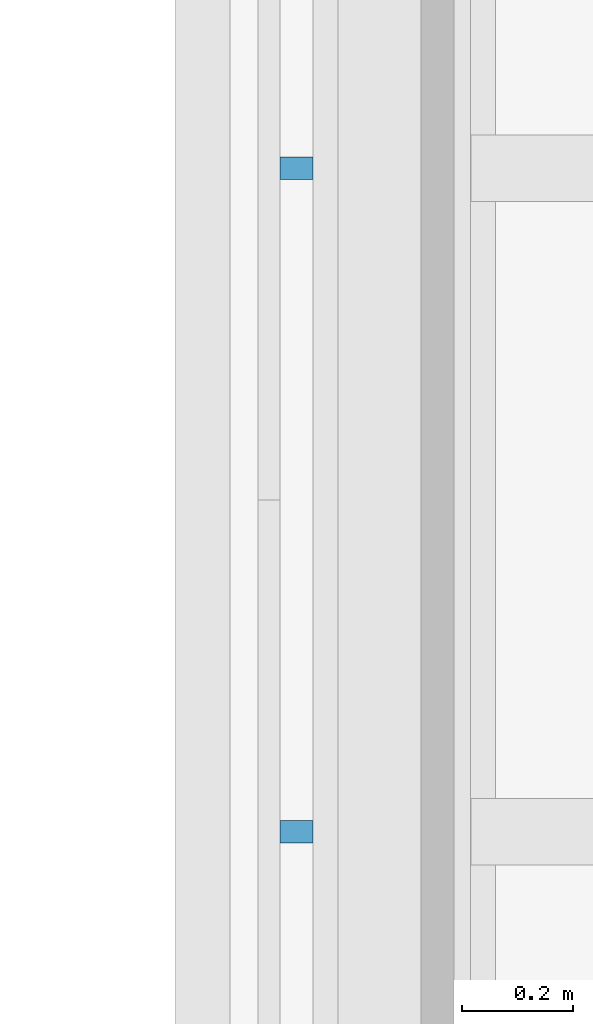
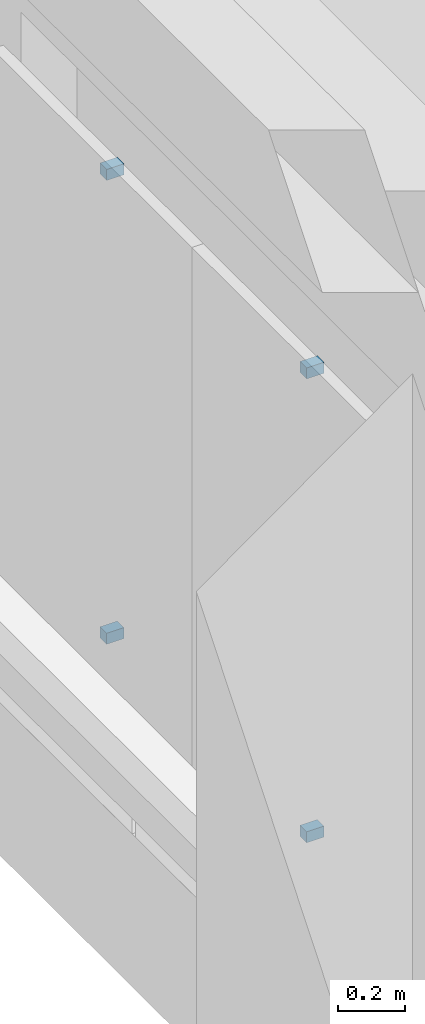
# One storey, part 53 of 71: 4 discrete accessories.
"""IFC4 building model written with IfcOpenShell, lengths in metres."""

from ifc_helpers import new_model, si_unit, direction, frame, origin, origin_2d, place, context, subcontext, project, spatial, rectangle, extrude, material, type_object, element, save


model = new_model("IFC4")

# Units and contexts
model_context = context("Model", 3, precision=1e-05, world=origin(), true_north=direction((0.0, 1.0)))
body_context = subcontext(model_context, "Body", "Model", "MODEL_VIEW")
ifc_project = project(units=[si_unit("LENGTHUNIT", "METRE"), si_unit("AREAUNIT", "SQUARE_METRE"), si_unit("VOLUMEUNIT", "CUBIC_METRE"), si_unit("PLANEANGLEUNIT", "RADIAN"), si_unit("MASSUNIT", "GRAM", prefix="KILO")], contexts=[model_context])

# Site, building, storey
site_placement = place(None, origin())
site = spatial("IfcSite", under=ifc_project, at=site_placement, CompositionType="ELEMENT")
building_placement = place(site_placement, origin())
building = spatial("IfcBuilding", under=site, at=building_placement, Name="Mazhai Court Health Centre", CompositionType="ELEMENT")
storey_placement = place(building_placement, frame((0.0, 0.0, 10.199951171875)))
storey = spatial("IfcBuildingStorey", under=building, at=storey_placement, Name="L02", CompositionType="ELEMENT", Elevation=10.199951171875)

# Discrete accessories
ifc_material = material(Name="Steel IS 2062 E250", Category="steel")
discrete_accessory_type = type_object("IfcDiscreteAccessoryType", Name="BRACKET 40", PredefinedType="BRACKET", material=ifc_material)
for number, where, z_axis, x_axis, name in (
    (1, (6.0048828125, 29.0, 0.630126953125), (0.0, 0.0, 1.0), (0.0, 1.0, 0.0), "BR-V2-L02-A30a0"),
    (2, (6.0048828125, 29.0, 2.330078125), (0.0, 0.0, 1.0), (0.0, 1.0, 0.0), "BR-V2-L02-A30a1"),
    (3, (6.0048828125, 30.199951171875, 0.630126953125), (0.0, 0.0, 1.0), (0.0, 1.0, 0.0), "BR-V2-L02-A30b0"),
    (4, (6.0048828125, 30.199951171875, 2.330078125), (0.0, 0.0, 1.0), (0.0, 1.0, 0.0), "BR-V2-L02-A30b1"),
):
    element("IfcDiscreteAccessory", number, at=place(storey_placement, frame(where, z_axis=z_axis, x_axis=x_axis)), inside=storey, type_object=discrete_accessory_type, Name=name, PredefinedType="BRACKET", context=body_context, shape_type="SweptSolid", body=[
        extrude(rectangle(XDim=0.0400390625, YDim=0.06005859375, at=origin_2d()), origin(), (0.0, 0.0, 1.0), 0.0400390625),
    ])

save(model, "model.ifc")
